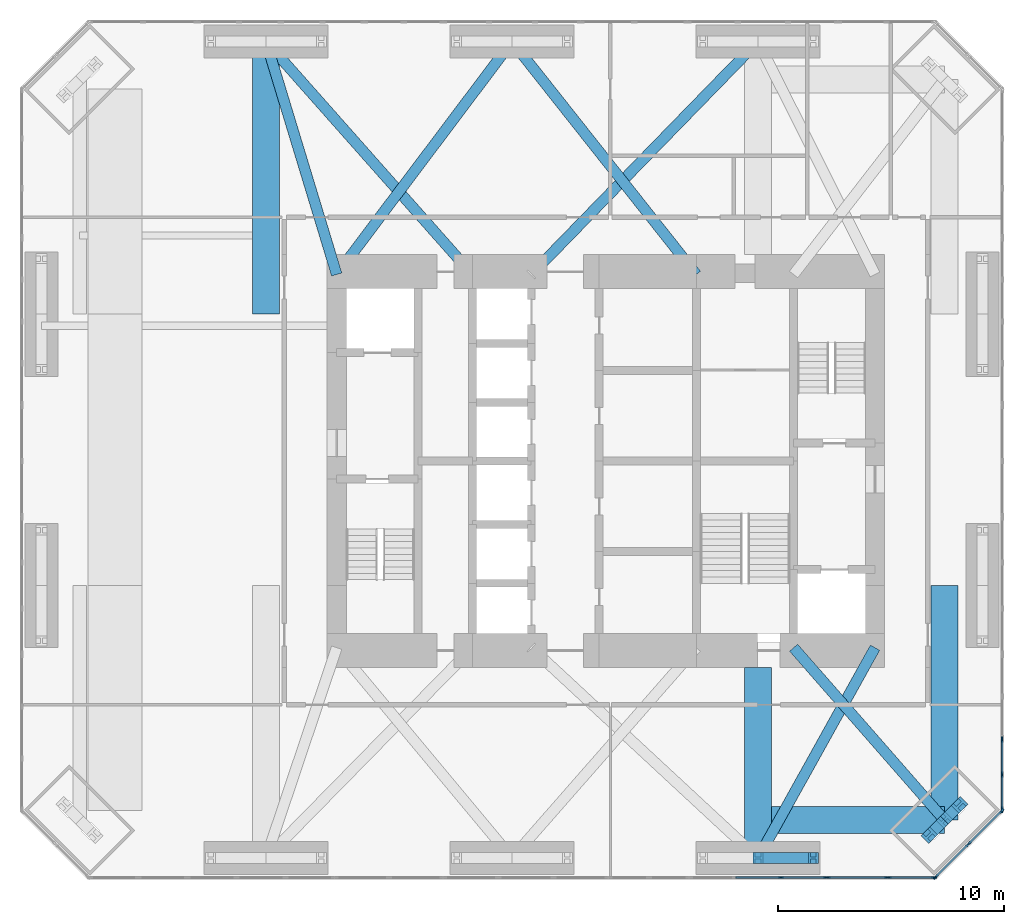
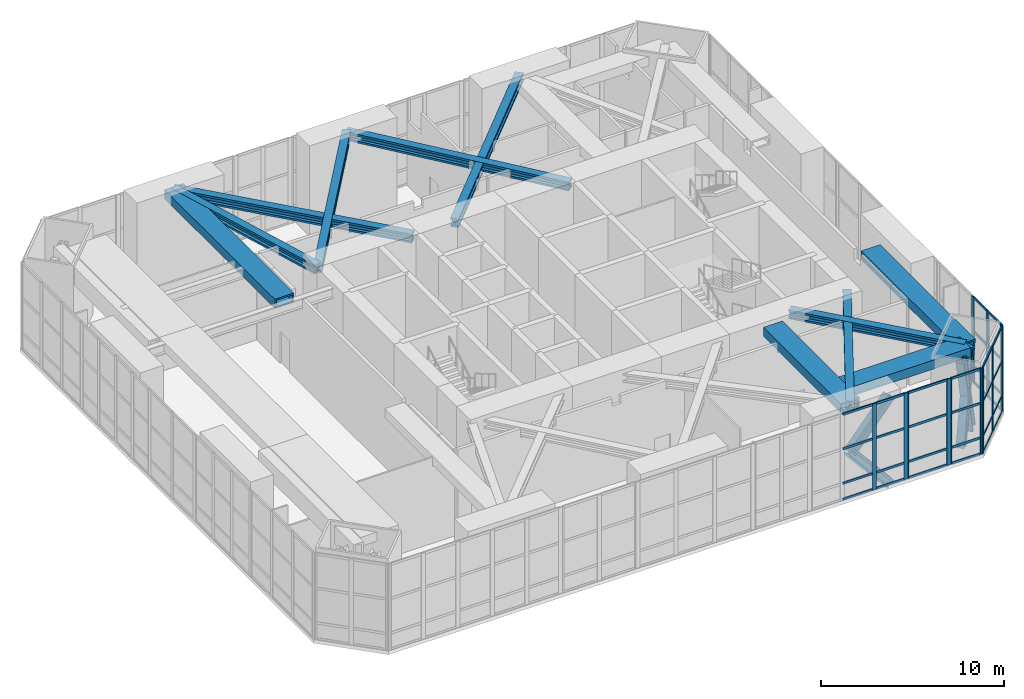
# One storey, part 5 of 18: 57 members, 4 beams, 5 elements without a shape of their own.
"""IFC4 building model written with IfcOpenShell, lengths in metres."""

from ifc_helpers import new_model, si_unit, direction, frame, origin, origin_2d, place, context, subcontext, project, spatial, rectangle, hollow_rectangle, i_section, extrude, material, material_profile, profile_set, type_object, element, aggregate, save


model = new_model("IFC4")

# Units and contexts
model_context = context("Model", 3, precision=1e-05, world=origin(), true_north=direction((0.0, 1.0)))
body_context = subcontext(model_context, "Body", "Model", "MODEL_VIEW")
ifc_project = project(units=[si_unit("LENGTHUNIT", "METRE"), si_unit("AREAUNIT", "SQUARE_METRE"), si_unit("VOLUMEUNIT", "CUBIC_METRE"), si_unit("PLANEANGLEUNIT", "RADIAN"), si_unit("MASSUNIT", "GRAM", prefix="KILO")], contexts=[model_context])

# Site, building, storey
site_placement = place(None, origin())
site = spatial("IfcSite", under=ifc_project, at=site_placement, CompositionType="ELEMENT")
building_placement = place(site_placement, origin())
building = spatial("IfcBuilding", under=site, at=building_placement, Name="Jalousie Tower", CompositionType="ELEMENT")
storey_placement = place(building_placement, frame((0.0, 0.0, 138.35009765625)))
storey = spatial("IfcBuildingStorey", under=building, at=storey_placement, Name="L38", CompositionType="ELEMENT", Elevation=138.35009765625)

# Members
ifc_material_1 = material(Name="Steel ASTM A992 Grade 50", Category="steel")
ifc_material_profile_1 = material_profile(ifc_material_1, i_section(OverallWidth=0.472412109375, OverallDepth=0.5791015625, WebThickness=0.094970703125, FlangeThickness=0.1298828125, at=origin_2d()), Name="W14X808")
ifc_profile_set_1 = profile_set([ifc_material_profile_1], Name="Steel ASTM A992 Grade 50")
member_type_1 = type_object("IfcMemberType", Name="KINK FLOOR TRUSS DIAGONAL W14X808", PredefinedType="BRACE", material=ifc_profile_set_1)
member_1_placement = place(storey_placement, frame((38.625, 0.949951171875, 5.430419921875), z_axis=(0.486242699137, 0.87382380234, 0.0), x_axis=(-0.87382380234, 0.486242699137, 0.0)))
element("IfcMember", 1, at=member_1_placement, inside=storey, type_object=member_type_1, Name="Kink floor truss L39 04 diagonal", PredefinedType="BRACE", context=body_context, shape_type="SweptSolid", body=[
    extrude(i_section(OverallWidth=0.472412109375, OverallDepth=0.5791015625, WebThickness=0.094970703125, FlangeThickness=0.1298828125, at=origin_2d()), origin(), (0.0, 0.0, 1.0), 10.642822265625),
])
member_2_placement = place(storey_placement, frame((46.86865234375, 2.63134765625, 5.430419921875), z_axis=(-0.658637750747, 0.75246017389, 0.0), x_axis=(-0.75246017389, -0.658637750747, 0.0)))
element("IfcMember", 2, at=member_2_placement, inside=storey, type_object=member_type_1, Name="Kink floor truss L39 05 diagonal", PredefinedType="BRACE", context=body_context, shape_type="SweptSolid", body=[
    extrude(i_section(OverallWidth=0.472412109375, OverallDepth=0.5791015625, WebThickness=0.094970703125, FlangeThickness=0.1298828125, at=origin_2d()), origin(), (0.0, 0.0, 1.0), 10.125),
])
member_3_placement = place(storey_placement, frame((38.625, 37.050048828125, 5.430419921875), z_axis=(-0.697470505101, -0.716613490324, 0.0), x_axis=(0.716613490324, -0.697470505101, 0.0)))
element("IfcMember", 3, at=member_3_placement, inside=storey, type_object=member_type_1, Name="Kink floor truss L39 09 diagonal", PredefinedType="BRACE", context=body_context, shape_type="SweptSolid", body=[
    extrude(i_section(OverallWidth=0.472412109375, OverallDepth=0.5791015625, WebThickness=0.094970703125, FlangeThickness=0.1298828125, at=origin_2d()), origin(), (0.0, 0.0, 1.0), 14.373291015625),
])
member_4_placement = place(storey_placement, frame((27.75, 37.050048828125, 5.430419921875), z_axis=(-0.601238728681, -0.799069453261, 0.0), x_axis=(0.799069453261, -0.601238728681, 0.0)))
element("IfcMember", 4, at=member_4_placement, inside=storey, type_object=member_type_1, Name="Kink floor truss L39 10 diagonal", PredefinedType="BRACE", context=body_context, shape_type="SweptSolid", body=[
    extrude(i_section(OverallWidth=0.472412109375, OverallDepth=0.5791015625, WebThickness=0.094970703125, FlangeThickness=0.1298828125, at=origin_2d()), origin(), (0.0, 0.0, 1.0), 12.89013671875),
])
member_5_placement = place(storey_placement, frame((27.75, 37.050048828125, 5.430419921875), z_axis=(0.620501531746, -0.784205234043, 0.0), x_axis=(0.784205234043, 0.620501531746, 0.0)))
element("IfcMember", 5, at=member_5_placement, inside=storey, type_object=member_type_1, Name="Kink floor truss L39 10 diagonal", PredefinedType="BRACE", context=body_context, shape_type="SweptSolid", body=[
    extrude(i_section(OverallWidth=0.472412109375, OverallDepth=0.5791015625, WebThickness=0.094970703125, FlangeThickness=0.1298828125, at=origin_2d()), origin(), (0.0, 0.0, 1.0), 13.13427734375),
])
member_6_placement = place(storey_placement, frame((16.875, 37.050048828125, 5.430419921875), z_axis=(0.290328435759, -0.956927060643, 0.0), x_axis=(0.956927060643, 0.290328435759, 0.0)))
element("IfcMember", 6, at=member_6_placement, inside=storey, type_object=member_type_1, Name="Kink floor truss L39 11 diagonal", PredefinedType="BRACE", context=body_context, shape_type="SweptSolid", body=[
    extrude(i_section(OverallWidth=0.472412109375, OverallDepth=0.5791015625, WebThickness=0.094970703125, FlangeThickness=0.1298828125, at=origin_2d()), origin(), (0.0, 0.0, 1.0), 10.763671875),
])
member_7_placement = place(storey_placement, frame((16.875, 37.050048828125, 5.430419921875), z_axis=(0.663120744527, -0.748512443569, 0.0), x_axis=(0.748512443569, 0.663120744527, 0.0)))
element("IfcMember", 7, at=member_7_placement, inside=storey, type_object=member_type_1, Name="Kink floor truss L39 11 diagonal", PredefinedType="BRACE", context=body_context, shape_type="SweptSolid", body=[
    extrude(i_section(OverallWidth=0.472412109375, OverallDepth=0.5791015625, WebThickness=0.094970703125, FlangeThickness=0.1298828125, at=origin_2d()), origin(), (0.0, 0.0, 1.0), 13.7607421875),
])

# Beams
ifc_material_2 = material(Name="Steel ASTM A572 Grade 50 plate", Category="steel")
ifc_material_profile_2 = material_profile(ifc_material_2, hollow_rectangle(XDim=1.199951171875, YDim=0.60009765625, WallThickness=0.10009765625, at=origin_2d()), Name="BOX 600x1200x100")
ifc_profile_set_2 = profile_set([ifc_material_profile_2], Name="Steel ASTM A572 Grade 50 plate")
beam_type = type_object("IfcBeamType", Name="KINK TIE BOX 600x1200x100", PredefinedType="BEAM", material=ifc_profile_set_2)
beam_1_placement = place(storey_placement, frame((38.625, 0.949951171875, 5.419921875), z_axis=(0.0, 1.0, 0.0), x_axis=(-1.0, 0.0, 0.0)))
element("IfcBeam", 8, at=beam_1_placement, inside=storey, type_object=beam_type, Name="Kink tie under L39", PredefinedType="BEAM", context=body_context, shape_type="SweptSolid", body=[
    extrude(hollow_rectangle(XDim=1.199951171875, YDim=0.60009765625, WallThickness=0.10009765625, at=origin_2d()), origin(), (0.0, 0.0, 1.0), 8.425048828125),
])
beam_2_placement = place(storey_placement, frame((16.875, 37.050048828125, 5.419921875), z_axis=(0.0, -1.0, 0.0), x_axis=(1.0, 0.0, 0.0)))
element("IfcBeam", 9, at=beam_2_placement, inside=storey, type_object=beam_type, Name="Kink tie under L39", PredefinedType="BEAM", context=body_context, shape_type="SweptSolid", body=[
    extrude(hollow_rectangle(XDim=1.199951171875, YDim=0.60009765625, WallThickness=0.10009765625, at=origin_2d()), origin(), (0.0, 0.0, 1.0), 12.050048828125),
])
beam_3_placement = place(storey_placement, frame((46.86865234375, 2.63134765625, 5.419921875), z_axis=(-1.0, 0.0, 0.0), x_axis=(0.0, -1.0, 0.0)))
element("IfcBeam", 10, at=beam_3_placement, inside=storey, type_object=beam_type, Name="Kink tie under L39", PredefinedType="BEAM", context=body_context, shape_type="SweptSolid", body=[
    extrude(hollow_rectangle(XDim=1.199951171875, YDim=0.60009765625, WallThickness=0.10009765625, at=origin_2d()), origin(), (0.0, 0.0, 1.0), 7.6435546875),
])
beam_4_placement = place(storey_placement, frame((46.86865234375, 2.63134765625, 5.419921875), z_axis=(0.0, 1.0, 0.0), x_axis=(-1.0, 0.0, 0.0)))
element("IfcBeam", 11, at=beam_4_placement, inside=storey, type_object=beam_type, Name="Kink tie under L39", PredefinedType="BEAM", context=body_context, shape_type="SweptSolid", body=[
    extrude(hollow_rectangle(XDim=1.199951171875, YDim=0.60009765625, WallThickness=0.10009765625, at=origin_2d()), origin(), (0.0, 0.0, 1.0), 10.36865234375),
])

# Members
ifc_material_3 = material(Name="Steel ASTM A992 Grade 50", Category="steel")
ifc_material_profile_3 = material_profile(ifc_material_3, i_section(OverallWidth=0.472412109375, OverallDepth=0.5791015625, WebThickness=0.094970703125, FlangeThickness=0.1298828125, at=origin_2d()), Name="W14X808")
ifc_profile_set_3 = profile_set([ifc_material_profile_3], Name="Steel ASTM A992 Grade 50")
member_type_2 = type_object("IfcMemberType", Name="PERIMETER BRACE W14X808", PredefinedType="BRACE", material=ifc_profile_set_3)
for number, where, z_axis, x_axis, name in (
    (12, (38.625, 0.949951171875, 2.324951171875), (0.642101988506, 0.0, 0.766619225141), (0.0, 1.0, 0.0), "Perimeter brace 04 L38 part 2"),
    (13, (41.074951171875, 0.949951171875, -0.60009765625), (-0.642101988506, 0.0, 0.766619225141), (0.0, -1.0, 0.0), "Perimeter brace 04 L38 part 3"),
):
    element("IfcMember", number, at=place(storey_placement, frame(where, z_axis=z_axis, x_axis=x_axis)), inside=storey, type_object=member_type_2, Name=name, PredefinedType="BRACE", context=body_context, shape_type="SweptSolid", body=[
        extrude(i_section(OverallWidth=0.472412109375, OverallDepth=0.5791015625, WebThickness=0.094970703125, FlangeThickness=0.1298828125, at=origin_2d()), origin(), (0.0, 0.0, 1.0), 3.8154296875),
    ])
for number, where, z_axis, x_axis, name in (
    (14, (46.197021484375, 1.959716796875, -0.60009765625), (0.218388113995, 0.218388113995, 0.951111593522), (-0.707106781187, 0.707106781187, 0.0), "Perimeter brace 05 L38 part 1"),
    (15, (46.86865234375, 2.63134765625, 2.324951171875), (0.218388113995, 0.218388113995, 0.951111593522), (-0.707106781187, 0.707106781187, 0.0), "Perimeter brace 05 L38 part 2"),
    (16, (47.540283203125, 3.302978515625, -0.60009765625), (-0.218388113995, -0.218388113995, 0.951111593522), (0.707106781187, -0.707106781187, 0.0), "Perimeter brace 05 L38 part 3"),
    (17, (46.86865234375, 2.63134765625, 2.324951171875), (-0.218388113995, -0.218388113995, 0.951111593522), (0.707106781187, -0.707106781187, 0.0), "Perimeter brace 05 L38 part 4"),
):
    element("IfcMember", number, at=place(storey_placement, frame(where, z_axis=z_axis, x_axis=x_axis)), inside=storey, type_object=member_type_2, Name=name, PredefinedType="BRACE", context=body_context, shape_type="SweptSolid", body=[
        extrude(i_section(OverallWidth=0.472412109375, OverallDepth=0.5791015625, WebThickness=0.094970703125, FlangeThickness=0.1298828125, at=origin_2d()), origin(), (0.0, 0.0, 1.0), 3.075439453125),
    ])

# Curtain wall, members
ifc_material_4 = material(Name="Aluminium curtain wall", Category="aluminium")
curtain_wall_type_1 = type_object("IfcCurtainWallType", Name="SKY LOUNGE SPANDREL WALL", PredefinedType="USERDEFINED", material=ifc_material_4)
curtain_wall_1_placement = place(storey_placement, origin())
curtain_wall_1 = element("IfcCurtainWall", 18, at=curtain_wall_1_placement, inside=storey, type_object=curtain_wall_type_1, Name="Sky Lounge Spandrel Wall L38 5", ObjectType="SKY LOUNGE SPANDREL WALL", PredefinedType="USERDEFINED")
ifc_material_5 = material(Name="Aluminium mullion", Category="aluminium")
ifc_material_profile_4 = material_profile(ifc_material_5, rectangle(XDim=0.074951171875, YDim=0.25, at=origin_2d()), Name="MULLION 75x250")
ifc_profile_set_4 = profile_set([ifc_material_profile_4], Name="Aluminium mullion")
member_type_3 = type_object("IfcMemberType", Name="SKY LOUNGE SPANDREL WALL MULLION", PredefinedType="MULLION", material=ifc_profile_set_4)
member_8_placement = place(storey_placement, frame((39.63818359375, 0.08740234375, 0.0), z_axis=(0.0, 0.0, 1.0), x_axis=(0.0, 1.0, 0.0)))
member_8 = element("IfcMember", 19, at=member_8_placement, type_object=member_type_3, Name="CW-KS mullion 3", PredefinedType="MULLION", context=body_context, shape_type="SweptSolid", body=[
    extrude(rectangle(XDim=0.074951171875, YDim=0.25, at=origin_2d()), origin(), (0.0, 0.0, 1.0), 5.719970703125),
])
member_9_placement = place(storey_placement, frame((41.626953125, 0.08740234375, 0.0), z_axis=(0.0, 0.0, 1.0), x_axis=(0.0, 1.0, 0.0)))
member_9 = element("IfcMember", 20, at=member_9_placement, type_object=member_type_3, Name="CW-KS mullion 4", PredefinedType="MULLION", context=body_context, shape_type="SweptSolid", body=[
    extrude(rectangle(XDim=0.074951171875, YDim=0.25, at=origin_2d()), origin(), (0.0, 0.0, 1.0), 5.719970703125),
])

curtain_wall_2_placement = place(storey_placement, origin())
curtain_wall_2 = element("IfcCurtainWall", 21, at=curtain_wall_2_placement, inside=storey, type_object=curtain_wall_type_1, Name="Sky Lounge Spandrel Wall L38 7", ObjectType="SKY LOUNGE SPANDREL WALL", PredefinedType="USERDEFINED")
member_10_placement = place(storey_placement, frame((44.39892578125, 0.08740234375, 0.0), z_axis=(0.0, 0.0, 1.0), x_axis=(0.0, 1.0, 0.0)))
member_10 = element("IfcMember", 22, at=member_10_placement, type_object=member_type_3, Name="CW-KS mullion 1", PredefinedType="MULLION", context=body_context, shape_type="SweptSolid", body=[
    extrude(rectangle(XDim=0.074951171875, YDim=0.25, at=origin_2d()), origin(), (0.0, 0.0, 1.0), 5.719970703125),
])
member_11_placement = place(storey_placement, frame((46.4111328125, 0.08740234375, 0.0), z_axis=(0.0, 0.0, 1.0), x_axis=(0.0, 1.0, 0.0)))
member_11 = element("IfcMember", 23, at=member_11_placement, type_object=member_type_3, Name="CW-KS mullion 2", PredefinedType="MULLION", context=body_context, shape_type="SweptSolid", body=[
    extrude(rectangle(XDim=0.074951171875, YDim=0.25, at=origin_2d()), origin(), (0.0, 0.0, 1.0), 5.719970703125),
])

curtain_wall_3_placement = place(storey_placement, origin())
curtain_wall_3 = element("IfcCurtainWall", 24, at=curtain_wall_3_placement, inside=storey, type_object=curtain_wall_type_1, Name="Sky Lounge Spandrel Wall L38 2", ObjectType="SKY LOUNGE SPANDREL WALL", PredefinedType="USERDEFINED")
member_12_placement = place(storey_placement, frame((46.47509765625, 0.114013671875, 0.0), z_axis=(0.0, 0.0, 1.0), x_axis=(-0.707106781187, 0.707106781187, 0.0)))
member_12 = element("IfcMember", 25, at=member_12_placement, type_object=member_type_3, Name="CW-KS mullion 1", PredefinedType="MULLION", context=body_context, shape_type="SweptSolid", body=[
    extrude(rectangle(XDim=0.074951171875, YDim=0.25, at=origin_2d()), origin(), (0.0, 0.0, 1.0), 5.719970703125),
])
member_13_placement = place(storey_placement, frame((47.9306640625, 1.5693359375, 0.0), z_axis=(0.0, 0.0, 1.0), x_axis=(-0.707106781187, 0.707106781187, 0.0)))
member_13 = element("IfcMember", 26, at=member_13_placement, type_object=member_type_3, Name="CW-KS mullion 2", PredefinedType="MULLION", context=body_context, shape_type="SweptSolid", body=[
    extrude(rectangle(XDim=0.074951171875, YDim=0.25, at=origin_2d()), origin(), (0.0, 0.0, 1.0), 5.719970703125),
])
member_14_placement = place(storey_placement, frame((49.385986328125, 3.02490234375, 0.0), z_axis=(0.0, 0.0, 1.0), x_axis=(-0.707106781187, 0.707106781187, 0.0)))
member_14 = element("IfcMember", 27, at=member_14_placement, type_object=member_type_3, Name="CW-KS mullion 3", PredefinedType="MULLION", context=body_context, shape_type="SweptSolid", body=[
    extrude(rectangle(XDim=0.074951171875, YDim=0.25, at=origin_2d()), origin(), (0.0, 0.0, 1.0), 5.719970703125),
])

curtain_wall_4_placement = place(storey_placement, origin())
curtain_wall_4 = element("IfcCurtainWall", 28, at=curtain_wall_4_placement, inside=storey, type_object=curtain_wall_type_1, Name="Sky Lounge Spandrel Wall L38 21", ObjectType="SKY LOUNGE SPANDREL WALL", PredefinedType="USERDEFINED")
member_15_placement = place(storey_placement, frame((49.41259765625, 3.0888671875, 0.0), z_axis=(0.0, 0.0, 1.0), x_axis=(-1.0, 0.0, 0.0)))
member_15 = element("IfcMember", 29, at=member_15_placement, type_object=member_type_3, Name="CW-KS mullion 1", PredefinedType="MULLION", context=body_context, shape_type="SweptSolid", body=[
    extrude(rectangle(XDim=0.074951171875, YDim=0.25, at=origin_2d()), origin(), (0.0, 0.0, 1.0), 5.719970703125),
])
member_16_placement = place(storey_placement, frame((49.41259765625, 4.63916015625, 0.0), z_axis=(0.0, 0.0, 1.0), x_axis=(-1.0, 0.0, 0.0)))
member_16 = element("IfcMember", 30, at=member_16_placement, type_object=member_type_3, Name="CW-KS mullion 2", PredefinedType="MULLION", context=body_context, shape_type="SweptSolid", body=[
    extrude(rectangle(XDim=0.074951171875, YDim=0.25, at=origin_2d()), origin(), (0.0, 0.0, 1.0), 5.719970703125),
])
member_17_placement = place(storey_placement, frame((49.41259765625, 6.189697265625, 0.0), z_axis=(0.0, 0.0, 1.0), x_axis=(-1.0, 0.0, 0.0)))
member_17 = element("IfcMember", 31, at=member_17_placement, type_object=member_type_3, Name="CW-KS mullion 3", PredefinedType="MULLION", context=body_context, shape_type="SweptSolid", body=[
    extrude(rectangle(XDim=0.074951171875, YDim=0.25, at=origin_2d()), origin(), (0.0, 0.0, 1.0), 5.719970703125),
])

# Member
ifc_material_6 = material(Name="Aluminium transom", Category="aluminium")
ifc_material_profile_5 = material_profile(ifc_material_6, rectangle(XDim=0.074951171875, YDim=0.14990234375, at=origin_2d()), Name="TRANSOM 75x150")
ifc_profile_set_5 = profile_set([ifc_material_profile_5], Name="Aluminium transom")
member_type_4 = type_object("IfcMemberType", Name="SKY LOUNGE SPANDREL WALL TRANSOM", PredefinedType="USERDEFINED", material=ifc_profile_set_5)
member_18_placement = place(storey_placement, frame((37.649169921875, 0.08740234375, 0.037353515625), z_axis=(1.0, 0.0, 0.0), x_axis=(0.0, 1.0, 0.0)))
member_18 = element("IfcMember", 32, at=member_18_placement, type_object=member_type_4, Name="CW-KS transom 2.1", ObjectType="TRANSOM", PredefinedType="USERDEFINED", context=body_context, shape_type="SweptSolid", body=[
    extrude(rectangle(XDim=0.074951171875, YDim=0.14990234375, at=origin_2d()), origin(), (0.0, 0.0, 1.0), 1.951416015625),
])

member_19_placement = place(storey_placement, frame((37.649169921875, 0.08740234375, 1.099853515625), z_axis=(1.0, 0.0, 0.0), x_axis=(0.0, 1.0, 0.0)))
member_19 = element("IfcMember", 33, at=member_19_placement, type_object=member_type_4, Name="CW-KS transom 2.2", ObjectType="TRANSOM", PredefinedType="USERDEFINED", context=body_context, shape_type="SweptSolid", body=[
    extrude(rectangle(XDim=0.074951171875, YDim=0.14990234375, at=origin_2d()), origin(), (0.0, 0.0, 1.0), 1.951416015625),
])

member_20_placement = place(storey_placement, frame((37.649169921875, 0.08740234375, 3.39990234375), z_axis=(1.0, 0.0, 0.0), x_axis=(0.0, 1.0, 0.0)))
member_20 = element("IfcMember", 34, at=member_20_placement, type_object=member_type_4, Name="CW-KS transom 2.3", ObjectType="TRANSOM", PredefinedType="USERDEFINED", context=body_context, shape_type="SweptSolid", body=[
    extrude(rectangle(XDim=0.074951171875, YDim=0.14990234375, at=origin_2d()), origin(), (0.0, 0.0, 1.0), 1.951416015625),
])

member_21_placement = place(storey_placement, frame((37.649169921875, 0.08740234375, 5.682373046875), z_axis=(1.0, 0.0, 0.0), x_axis=(0.0, 1.0, 0.0)))
member_21 = element("IfcMember", 35, at=member_21_placement, type_object=member_type_4, Name="CW-KS transom 2.4", ObjectType="TRANSOM", PredefinedType="USERDEFINED", context=body_context, shape_type="SweptSolid", body=[
    extrude(rectangle(XDim=0.074951171875, YDim=0.14990234375, at=origin_2d()), origin(), (0.0, 0.0, 1.0), 1.951416015625),
])

member_22_placement = place(storey_placement, frame((39.675537109375, 0.08740234375, 0.037353515625), z_axis=(1.0, 0.0, 0.0), x_axis=(0.0, 1.0, 0.0)))
member_22 = element("IfcMember", 36, at=member_22_placement, type_object=member_type_4, Name="CW-KS transom 3.1", ObjectType="TRANSOM", PredefinedType="USERDEFINED", context=body_context, shape_type="SweptSolid", body=[
    extrude(rectangle(XDim=0.074951171875, YDim=0.14990234375, at=origin_2d()), origin(), (0.0, 0.0, 1.0), 1.9140625),
])

member_23_placement = place(storey_placement, frame((39.675537109375, 0.08740234375, 1.099853515625), z_axis=(1.0, 0.0, 0.0), x_axis=(0.0, 1.0, 0.0)))
member_23 = element("IfcMember", 37, at=member_23_placement, type_object=member_type_4, Name="CW-KS transom 3.2", ObjectType="TRANSOM", PredefinedType="USERDEFINED", context=body_context, shape_type="SweptSolid", body=[
    extrude(rectangle(XDim=0.074951171875, YDim=0.14990234375, at=origin_2d()), origin(), (0.0, 0.0, 1.0), 1.9140625),
])

member_24_placement = place(storey_placement, frame((39.675537109375, 0.08740234375, 3.39990234375), z_axis=(1.0, 0.0, 0.0), x_axis=(0.0, 1.0, 0.0)))
member_24 = element("IfcMember", 38, at=member_24_placement, type_object=member_type_4, Name="CW-KS transom 3.3", ObjectType="TRANSOM", PredefinedType="USERDEFINED", context=body_context, shape_type="SweptSolid", body=[
    extrude(rectangle(XDim=0.074951171875, YDim=0.14990234375, at=origin_2d()), origin(), (0.0, 0.0, 1.0), 1.9140625),
])

member_25_placement = place(storey_placement, frame((39.675537109375, 0.08740234375, 5.682373046875), z_axis=(1.0, 0.0, 0.0), x_axis=(0.0, 1.0, 0.0)))
member_25 = element("IfcMember", 39, at=member_25_placement, type_object=member_type_4, Name="CW-KS transom 3.4", ObjectType="TRANSOM", PredefinedType="USERDEFINED", context=body_context, shape_type="SweptSolid", body=[
    extrude(rectangle(XDim=0.074951171875, YDim=0.14990234375, at=origin_2d()), origin(), (0.0, 0.0, 1.0), 1.9140625),
])

aggregate(curtain_wall_1, [member_8, member_9, member_18, member_19, member_20, member_21, member_22, member_23, member_24, member_25])

member_26_placement = place(storey_placement, frame((44.4365234375, 0.08740234375, 0.037353515625), z_axis=(1.0, 0.0, 0.0), x_axis=(0.0, 1.0, 0.0)))
member_26 = element("IfcMember", 40, at=member_26_placement, type_object=member_type_4, Name="CW-KS transom 1.1", ObjectType="TRANSOM", PredefinedType="USERDEFINED", context=body_context, shape_type="SweptSolid", body=[
    extrude(rectangle(XDim=0.074951171875, YDim=0.14990234375, at=origin_2d()), origin(), (0.0, 0.0, 1.0), 1.937255859375),
])

member_27_placement = place(storey_placement, frame((44.4365234375, 0.08740234375, 1.099853515625), z_axis=(1.0, 0.0, 0.0), x_axis=(0.0, 1.0, 0.0)))
member_27 = element("IfcMember", 41, at=member_27_placement, type_object=member_type_4, Name="CW-KS transom 1.2", ObjectType="TRANSOM", PredefinedType="USERDEFINED", context=body_context, shape_type="SweptSolid", body=[
    extrude(rectangle(XDim=0.074951171875, YDim=0.14990234375, at=origin_2d()), origin(), (0.0, 0.0, 1.0), 1.937255859375),
])

member_28_placement = place(storey_placement, frame((44.4365234375, 0.08740234375, 3.39990234375), z_axis=(1.0, 0.0, 0.0), x_axis=(0.0, 1.0, 0.0)))
member_28 = element("IfcMember", 42, at=member_28_placement, type_object=member_type_4, Name="CW-KS transom 1.3", ObjectType="TRANSOM", PredefinedType="USERDEFINED", context=body_context, shape_type="SweptSolid", body=[
    extrude(rectangle(XDim=0.074951171875, YDim=0.14990234375, at=origin_2d()), origin(), (0.0, 0.0, 1.0), 1.937255859375),
])

member_29_placement = place(storey_placement, frame((44.4365234375, 0.08740234375, 5.682373046875), z_axis=(1.0, 0.0, 0.0), x_axis=(0.0, 1.0, 0.0)))
member_29 = element("IfcMember", 43, at=member_29_placement, type_object=member_type_4, Name="CW-KS transom 1.4", ObjectType="TRANSOM", PredefinedType="USERDEFINED", context=body_context, shape_type="SweptSolid", body=[
    extrude(rectangle(XDim=0.074951171875, YDim=0.14990234375, at=origin_2d()), origin(), (0.0, 0.0, 1.0), 1.937255859375),
])

aggregate(curtain_wall_2, [member_10, member_11, member_26, member_27, member_28, member_29])

member_30_placement = place(storey_placement, frame((46.501708984375, 0.140625, 0.037353515625), z_axis=(0.707106781187, 0.707106781187, 0.0), x_axis=(-0.707106781187, 0.707106781187, 0.0)))
member_30 = element("IfcMember", 44, at=member_30_placement, type_object=member_type_4, Name="CW-KS transom 1.1", ObjectType="TRANSOM", PredefinedType="USERDEFINED", context=body_context, shape_type="SweptSolid", body=[
    extrude(rectangle(XDim=0.074951171875, YDim=0.14990234375, at=origin_2d()), origin(), (0.0, 0.0, 1.0), 1.983154296875),
])

member_31_placement = place(storey_placement, frame((46.501708984375, 0.140625, 1.099853515625), z_axis=(0.707106781187, 0.707106781187, 0.0), x_axis=(-0.707106781187, 0.707106781187, 0.0)))
member_31 = element("IfcMember", 45, at=member_31_placement, type_object=member_type_4, Name="CW-KS transom 1.2", ObjectType="TRANSOM", PredefinedType="USERDEFINED", context=body_context, shape_type="SweptSolid", body=[
    extrude(rectangle(XDim=0.074951171875, YDim=0.14990234375, at=origin_2d()), origin(), (0.0, 0.0, 1.0), 1.983154296875),
])

member_32_placement = place(storey_placement, frame((46.501708984375, 0.140625, 3.39990234375), z_axis=(0.707106781187, 0.707106781187, 0.0), x_axis=(-0.707106781187, 0.707106781187, 0.0)))
member_32 = element("IfcMember", 46, at=member_32_placement, type_object=member_type_4, Name="CW-KS transom 1.3", ObjectType="TRANSOM", PredefinedType="USERDEFINED", context=body_context, shape_type="SweptSolid", body=[
    extrude(rectangle(XDim=0.074951171875, YDim=0.14990234375, at=origin_2d()), origin(), (0.0, 0.0, 1.0), 1.983154296875),
])

member_33_placement = place(storey_placement, frame((46.501708984375, 0.140625, 5.682373046875), z_axis=(0.707106781187, 0.707106781187, 0.0), x_axis=(-0.707106781187, 0.707106781187, 0.0)))
member_33 = element("IfcMember", 47, at=member_33_placement, type_object=member_type_4, Name="CW-KS transom 1.4", ObjectType="TRANSOM", PredefinedType="USERDEFINED", context=body_context, shape_type="SweptSolid", body=[
    extrude(rectangle(XDim=0.074951171875, YDim=0.14990234375, at=origin_2d()), origin(), (0.0, 0.0, 1.0), 1.983154296875),
])

member_34_placement = place(storey_placement, frame((47.95703125, 1.595947265625, 0.037353515625), z_axis=(0.707106781187, 0.707106781187, 0.0), x_axis=(-0.707106781187, 0.707106781187, 0.0)))
member_34 = element("IfcMember", 48, at=member_34_placement, type_object=member_type_4, Name="CW-KS transom 2.1", ObjectType="TRANSOM", PredefinedType="USERDEFINED", context=body_context, shape_type="SweptSolid", body=[
    extrude(rectangle(XDim=0.074951171875, YDim=0.14990234375, at=origin_2d()), origin(), (0.0, 0.0, 1.0), 1.983154296875),
])

member_35_placement = place(storey_placement, frame((47.95703125, 1.595947265625, 1.099853515625), z_axis=(0.707106781187, 0.707106781187, 0.0), x_axis=(-0.707106781187, 0.707106781187, 0.0)))
member_35 = element("IfcMember", 49, at=member_35_placement, type_object=member_type_4, Name="CW-KS transom 2.2", ObjectType="TRANSOM", PredefinedType="USERDEFINED", context=body_context, shape_type="SweptSolid", body=[
    extrude(rectangle(XDim=0.074951171875, YDim=0.14990234375, at=origin_2d()), origin(), (0.0, 0.0, 1.0), 1.983154296875),
])

member_36_placement = place(storey_placement, frame((47.95703125, 1.595947265625, 3.39990234375), z_axis=(0.707106781187, 0.707106781187, 0.0), x_axis=(-0.707106781187, 0.707106781187, 0.0)))
member_36 = element("IfcMember", 50, at=member_36_placement, type_object=member_type_4, Name="CW-KS transom 2.3", ObjectType="TRANSOM", PredefinedType="USERDEFINED", context=body_context, shape_type="SweptSolid", body=[
    extrude(rectangle(XDim=0.074951171875, YDim=0.14990234375, at=origin_2d()), origin(), (0.0, 0.0, 1.0), 1.983154296875),
])

member_37_placement = place(storey_placement, frame((47.95703125, 1.595947265625, 5.682373046875), z_axis=(0.707106781187, 0.707106781187, 0.0), x_axis=(-0.707106781187, 0.707106781187, 0.0)))
member_37 = element("IfcMember", 51, at=member_37_placement, type_object=member_type_4, Name="CW-KS transom 2.4", ObjectType="TRANSOM", PredefinedType="USERDEFINED", context=body_context, shape_type="SweptSolid", body=[
    extrude(rectangle(XDim=0.074951171875, YDim=0.14990234375, at=origin_2d()), origin(), (0.0, 0.0, 1.0), 1.983154296875),
])

aggregate(curtain_wall_3, [member_12, member_13, member_14, member_30, member_31, member_32, member_33, member_34, member_35, member_36, member_37])

member_38_placement = place(storey_placement, frame((49.41259765625, 3.126220703125, 0.037353515625), z_axis=(0.0, 1.0, 0.0), x_axis=(-1.0, 0.0, 0.0)))
member_38 = element("IfcMember", 52, at=member_38_placement, type_object=member_type_4, Name="CW-KS transom 1.1", ObjectType="TRANSOM", PredefinedType="USERDEFINED", context=body_context, shape_type="SweptSolid", body=[
    extrude(rectangle(XDim=0.074951171875, YDim=0.14990234375, at=origin_2d()), origin(), (0.0, 0.0, 1.0), 1.4755859375),
])

member_39_placement = place(storey_placement, frame((49.41259765625, 3.126220703125, 1.099853515625), z_axis=(0.0, 1.0, 0.0), x_axis=(-1.0, 0.0, 0.0)))
member_39 = element("IfcMember", 53, at=member_39_placement, type_object=member_type_4, Name="CW-KS transom 1.2", ObjectType="TRANSOM", PredefinedType="USERDEFINED", context=body_context, shape_type="SweptSolid", body=[
    extrude(rectangle(XDim=0.074951171875, YDim=0.14990234375, at=origin_2d()), origin(), (0.0, 0.0, 1.0), 1.4755859375),
])

member_40_placement = place(storey_placement, frame((49.41259765625, 3.126220703125, 3.39990234375), z_axis=(0.0, 1.0, 0.0), x_axis=(-1.0, 0.0, 0.0)))
member_40 = element("IfcMember", 54, at=member_40_placement, type_object=member_type_4, Name="CW-KS transom 1.3", ObjectType="TRANSOM", PredefinedType="USERDEFINED", context=body_context, shape_type="SweptSolid", body=[
    extrude(rectangle(XDim=0.074951171875, YDim=0.14990234375, at=origin_2d()), origin(), (0.0, 0.0, 1.0), 1.4755859375),
])

member_41_placement = place(storey_placement, frame((49.41259765625, 3.126220703125, 5.682373046875), z_axis=(0.0, 1.0, 0.0), x_axis=(-1.0, 0.0, 0.0)))
member_41 = element("IfcMember", 55, at=member_41_placement, type_object=member_type_4, Name="CW-KS transom 1.4", ObjectType="TRANSOM", PredefinedType="USERDEFINED", context=body_context, shape_type="SweptSolid", body=[
    extrude(rectangle(XDim=0.074951171875, YDim=0.14990234375, at=origin_2d()), origin(), (0.0, 0.0, 1.0), 1.4755859375),
])

member_42_placement = place(storey_placement, frame((49.41259765625, 4.6767578125, 0.037353515625), z_axis=(0.0, 1.0, 0.0), x_axis=(-1.0, 0.0, 0.0)))
member_42 = element("IfcMember", 56, at=member_42_placement, type_object=member_type_4, Name="CW-KS transom 2.1", ObjectType="TRANSOM", PredefinedType="USERDEFINED", context=body_context, shape_type="SweptSolid", body=[
    extrude(rectangle(XDim=0.074951171875, YDim=0.14990234375, at=origin_2d()), origin(), (0.0, 0.0, 1.0), 1.475341796875),
])

member_43_placement = place(storey_placement, frame((49.41259765625, 4.6767578125, 1.099853515625), z_axis=(0.0, 1.0, 0.0), x_axis=(-1.0, 0.0, 0.0)))
member_43 = element("IfcMember", 57, at=member_43_placement, type_object=member_type_4, Name="CW-KS transom 2.2", ObjectType="TRANSOM", PredefinedType="USERDEFINED", context=body_context, shape_type="SweptSolid", body=[
    extrude(rectangle(XDim=0.074951171875, YDim=0.14990234375, at=origin_2d()), origin(), (0.0, 0.0, 1.0), 1.475341796875),
])

member_44_placement = place(storey_placement, frame((49.41259765625, 4.6767578125, 3.39990234375), z_axis=(0.0, 1.0, 0.0), x_axis=(-1.0, 0.0, 0.0)))
member_44 = element("IfcMember", 58, at=member_44_placement, type_object=member_type_4, Name="CW-KS transom 2.3", ObjectType="TRANSOM", PredefinedType="USERDEFINED", context=body_context, shape_type="SweptSolid", body=[
    extrude(rectangle(XDim=0.074951171875, YDim=0.14990234375, at=origin_2d()), origin(), (0.0, 0.0, 1.0), 1.475341796875),
])

member_45_placement = place(storey_placement, frame((49.41259765625, 4.6767578125, 5.682373046875), z_axis=(0.0, 1.0, 0.0), x_axis=(-1.0, 0.0, 0.0)))
member_45 = element("IfcMember", 59, at=member_45_placement, type_object=member_type_4, Name="CW-KS transom 2.4", ObjectType="TRANSOM", PredefinedType="USERDEFINED", context=body_context, shape_type="SweptSolid", body=[
    extrude(rectangle(XDim=0.074951171875, YDim=0.14990234375, at=origin_2d()), origin(), (0.0, 0.0, 1.0), 1.475341796875),
])

aggregate(curtain_wall_4, [member_15, member_16, member_17, member_38, member_39, member_40, member_41, member_42, member_43, member_44, member_45])

# Curtain wall, members
ifc_material_7 = material(Name="Aluminium curtain wall", Category="aluminium")
curtain_wall_type_2 = type_object("IfcCurtainWallType", Name="SKY LOUNGE WINDOW WALL", PredefinedType="USERDEFINED", material=ifc_material_7)
curtain_wall_5_placement = place(storey_placement, origin())
curtain_wall_5 = element("IfcCurtainWall", 60, at=curtain_wall_5_placement, inside=storey, type_object=curtain_wall_type_2, Name="Sky Lounge Window Wall L38 6", ObjectType="SKY LOUNGE WINDOW WALL", PredefinedType="USERDEFINED")
ifc_material_8 = material(Name="Aluminium mullion", Category="aluminium")
ifc_material_profile_6 = material_profile(ifc_material_8, rectangle(XDim=0.074951171875, YDim=0.25, at=origin_2d()), Name="MULLION 75x250")
ifc_profile_set_6 = profile_set([ifc_material_profile_6], Name="Aluminium mullion")
member_type_5 = type_object("IfcMemberType", Name="SKY LOUNGE WINDOW WALL MULLION", PredefinedType="MULLION", material=ifc_profile_set_6)
member_46_placement = place(storey_placement, frame((41.701904296875, 0.08740234375, 0.0), z_axis=(0.0, 0.0, 1.0), x_axis=(0.0, 1.0, 0.0)))
member_46 = element("IfcMember", 61, at=member_46_placement, type_object=member_type_5, Name="CW-K mullion 1", PredefinedType="MULLION", context=body_context, shape_type="SweptSolid", body=[
    extrude(rectangle(XDim=0.074951171875, YDim=0.25, at=origin_2d()), origin(), (0.0, 0.0, 1.0), 5.719970703125),
])
member_47_placement = place(storey_placement, frame((44.323974609375, 0.08740234375, 0.0), z_axis=(0.0, 0.0, 1.0), x_axis=(0.0, 1.0, 0.0)))
member_47 = element("IfcMember", 62, at=member_47_placement, type_object=member_type_5, Name="CW-K mullion 2", PredefinedType="MULLION", context=body_context, shape_type="SweptSolid", body=[
    extrude(rectangle(XDim=0.074951171875, YDim=0.25, at=origin_2d()), origin(), (0.0, 0.0, 1.0), 5.719970703125),
])
ifc_material_9 = material(Name="Aluminium transom", Category="aluminium")
ifc_material_profile_7 = material_profile(ifc_material_9, rectangle(XDim=0.074951171875, YDim=0.14990234375, at=origin_2d()), Name="TRANSOM 75x150")
ifc_profile_set_7 = profile_set([ifc_material_profile_7], Name="Aluminium transom")
member_type_6 = type_object("IfcMemberType", Name="SKY LOUNGE WINDOW WALL TRANSOM", PredefinedType="USERDEFINED", material=ifc_profile_set_7)
member_48_placement = place(storey_placement, frame((41.739501953125, 0.08740234375, 0.037353515625), z_axis=(1.0, 0.0, 0.0), x_axis=(0.0, 1.0, 0.0)))
member_48 = element("IfcMember", 63, at=member_48_placement, type_object=member_type_6, Name="CW-K transom 1.1", ObjectType="TRANSOM", PredefinedType="USERDEFINED", context=body_context, shape_type="SweptSolid", body=[
    extrude(rectangle(XDim=0.074951171875, YDim=0.14990234375, at=origin_2d()), origin(), (0.0, 0.0, 1.0), 2.547119140625),
])
member_49_placement = place(storey_placement, frame((41.739501953125, 0.08740234375, 1.099853515625), z_axis=(1.0, 0.0, 0.0), x_axis=(0.0, 1.0, 0.0)))
member_49 = element("IfcMember", 64, at=member_49_placement, type_object=member_type_6, Name="CW-K transom 1.2", ObjectType="TRANSOM", PredefinedType="USERDEFINED", context=body_context, shape_type="SweptSolid", body=[
    extrude(rectangle(XDim=0.074951171875, YDim=0.14990234375, at=origin_2d()), origin(), (0.0, 0.0, 1.0), 2.547119140625),
])
member_50_placement = place(storey_placement, frame((41.739501953125, 0.08740234375, 3.39990234375), z_axis=(1.0, 0.0, 0.0), x_axis=(0.0, 1.0, 0.0)))
member_50 = element("IfcMember", 65, at=member_50_placement, type_object=member_type_6, Name="CW-K transom 1.3", ObjectType="TRANSOM", PredefinedType="USERDEFINED", context=body_context, shape_type="SweptSolid", body=[
    extrude(rectangle(XDim=0.074951171875, YDim=0.14990234375, at=origin_2d()), origin(), (0.0, 0.0, 1.0), 2.547119140625),
])
member_51_placement = place(storey_placement, frame((41.739501953125, 0.08740234375, 5.682373046875), z_axis=(1.0, 0.0, 0.0), x_axis=(0.0, 1.0, 0.0)))
member_51 = element("IfcMember", 66, at=member_51_placement, type_object=member_type_6, Name="CW-K transom 1.4", ObjectType="TRANSOM", PredefinedType="USERDEFINED", context=body_context, shape_type="SweptSolid", body=[
    extrude(rectangle(XDim=0.074951171875, YDim=0.14990234375, at=origin_2d()), origin(), (0.0, 0.0, 1.0), 2.547119140625),
])
aggregate(curtain_wall_5, [member_46, member_47, member_48, member_49, member_50, member_51])

save(model, "model.ifc")
